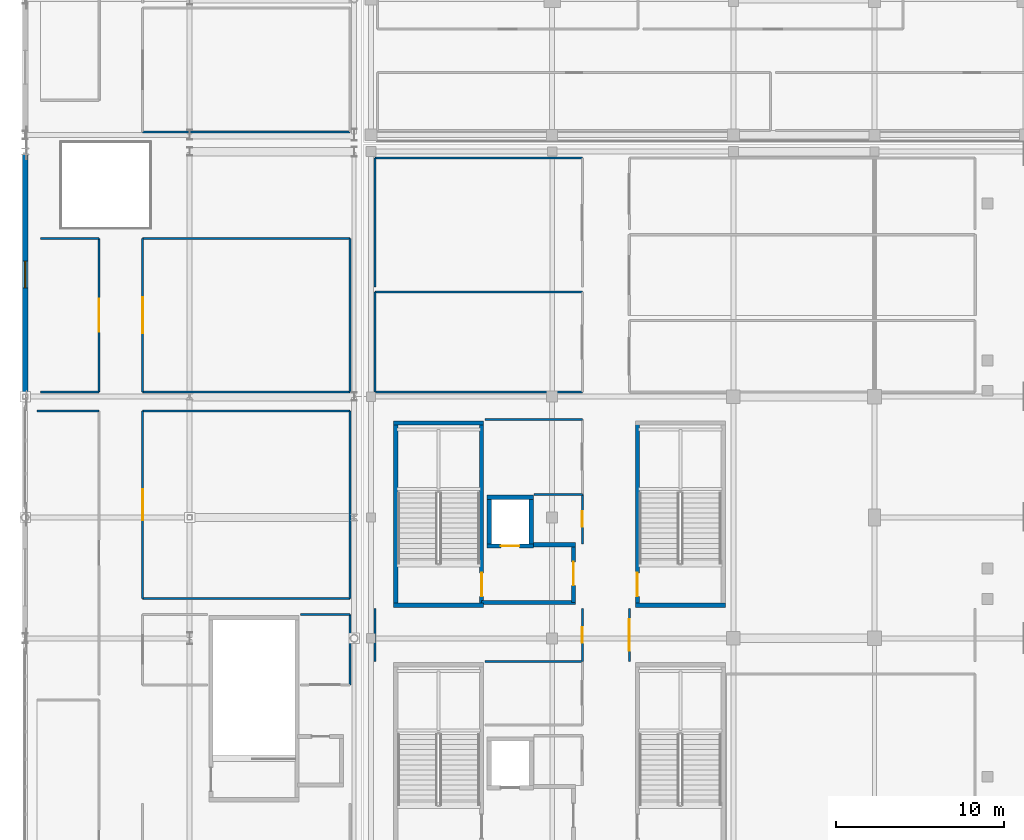
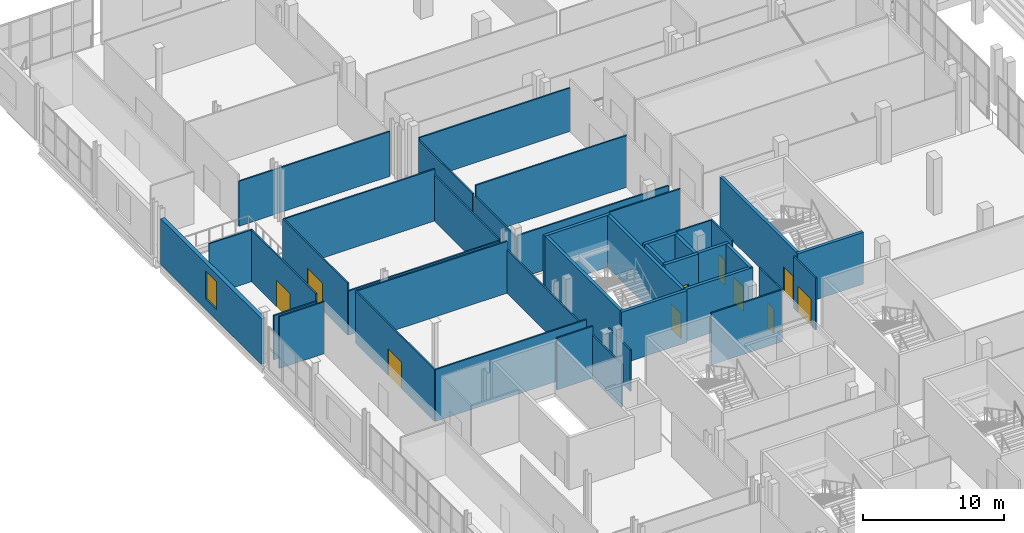
# One storey, part 94 of 142: 41 walls, 10 doors, 1 window, 11 openings.
"""IFC4 building model written with IfcOpenShell, lengths in metres."""

import ifcopenshell
import ifcopenshell.guid

model = None  # the IFC model being written
_history = None  # IfcOwnerHistory: only IFC2X3 demands one
_inside = {}  # id of a spatial element -> (the spatial element, [elements in it])
_under = {}  # id of a project, library or spatial element -> (it, [spatial elements below it])
_declared = {}  # id of a project -> (the project, [libraries it declares])
_typed = {}  # id of a type object -> (the type object, [elements of that type])
_made_of = {}  # id of a material, layer set ... -> (it, [elements and type objects made of it])


def new_model(schema):
    """Start an empty IFC model of exactly this schema.

    Asked for "IFC4X3", IfcOpenShell would pick the latest addendum, in which some entities
    have other attributes; the version numbers below select the first issue.
    IFC2X3 requires an IfcOwnerHistory on every rooted entity: one is made here for all.
    """
    global model, _history
    if schema == "IFC4X3":
        model = ifcopenshell.file(schema_version=(4, 3, 0, 0))
    else:
        model = ifcopenshell.file(schema=schema)
    _inside.clear()
    _under.clear()
    _declared.clear()
    _typed.clear()
    _made_of.clear()
    _history = None
    if model.schema == "IFC2X3":
        org = make("IfcOrganization", Name="unknown")
        user = make(
            "IfcPersonAndOrganization",
            ThePerson=make("IfcPerson", FamilyName="unknown"),
            TheOrganization=org,
        )
        app = make(
            "IfcApplication",
            ApplicationDeveloper=org,
            Version="unknown",
            ApplicationFullName="unknown",
            ApplicationIdentifier="unknown",
        )
        _history = make(
            "IfcOwnerHistory",
            OwningUser=user,
            OwningApplication=app,
            ChangeAction="ADDED",
            CreationDate=0,
        )
    return model


def make(cls, **values):
    """One entity of the class cls with the attributes given. An attribute that is None is left unset."""
    return model.create_entity(
        cls, **{name: value for name, value in values.items() if value is not None}
    )


def rooted(cls, **values):
    """An entity with a GlobalId (a new one), such as an element, a storey or a relation."""
    return make(cls, GlobalId=ifcopenshell.guid.new(), OwnerHistory=_history, **values)


def si_unit(unit_type, name, prefix=None):
    """IfcSIUnit, for example si_unit("LENGTHUNIT", "METRE", prefix="MILLI")."""
    return make("IfcSIUnit", UnitType=unit_type, Prefix=prefix, Name=name)


def assignment(units):
    """IfcUnitAssignment: the units of a project."""
    return None if units is None else make("IfcUnitAssignment", Units=units)


def point(xyz):
    """IfcCartesianPoint."""
    return None if xyz is None else make("IfcCartesianPoint", Coordinates=xyz)


def direction(xyz):
    """IfcDirection."""
    return None if xyz is None else make("IfcDirection", DirectionRatios=xyz)


def frame(location, z_axis=None, x_axis=None):
    """IfcAxis2Placement3D, a coordinate frame: its origin and axes. An axis left out is left unset."""
    return make(
        "IfcAxis2Placement3D",
        Location=point(location),
        Axis=direction(z_axis),
        RefDirection=direction(x_axis),
    )


def frame_2d(location, x_axis=None):
    """IfcAxis2Placement2D, a coordinate frame in the plane: its origin and x axis."""
    return make(
        "IfcAxis2Placement2D", Location=point(location), RefDirection=direction(x_axis)
    )


def origin():
    """The frame at (0, 0, 0) with its axes left unset."""
    return frame((0.0, 0.0, 0.0))


def place(relative_to, where):
    """IfcLocalPlacement: puts the frame where relative to a parent placement (None: the world)."""
    return make(
        "IfcLocalPlacement", PlacementRelTo=relative_to, RelativePlacement=where
    )


def context(
    kind, dimensions, precision=None, world=None, true_north=None, identifier=None
):
    """IfcGeometricRepresentationContext, for example the 3D "Model" context."""
    return make(
        "IfcGeometricRepresentationContext",
        ContextIdentifier=identifier,
        ContextType=kind,
        CoordinateSpaceDimension=dimensions,
        Precision=precision,
        WorldCoordinateSystem=world,
        TrueNorth=true_north,
    )


def subcontext(parent, identifier, kind, view, scale=None):
    """IfcGeometricRepresentationSubContext, for example "Body" below "Model"."""
    return make(
        "IfcGeometricRepresentationSubContext",
        ContextIdentifier=identifier,
        ContextType=kind,
        ParentContext=parent,
        TargetScale=scale,
        TargetView=view,
    )


def project(units=None, contexts=None):
    """IfcProject with its units and contexts."""
    return rooted(
        "IfcProject",
        Name="project",
        RepresentationContexts=contexts,
        UnitsInContext=assignment(units),
    )


def spatial(cls, under=None, at=None, **own):
    """A site, building, storey or space (cls), placed at a placement, below another one or the project."""
    s = rooted(cls, ObjectPlacement=at, **own)
    if under is not None:
        _under.setdefault(under.id(), (under, []))[1].append(s)
    return s


def profile(cls, at=None, kind="AREA", **sizes):
    """A parametric profile (cls). Its sizes go by their IFC names, for example OverallWidth=200.0."""
    return make(cls, ProfileType=kind, Position=at, **sizes)


def rectangle(**sizes):
    """IfcRectangleProfileDef."""
    return profile("IfcRectangleProfileDef", **sizes)


def extrude(swept, where, along, depth):
    """IfcExtrudedAreaSolid: the profile swept, set in the frame where, extruded along a direction by depth."""
    return make(
        "IfcExtrudedAreaSolid",
        SweptArea=swept,
        Position=where,
        ExtrudedDirection=direction(along),
        Depth=depth,
    )


def shape(context_of_items, identifier, shape_type, items):
    """IfcShapeRepresentation: the items that make up one representation, for example the "Body"."""
    return make(
        "IfcShapeRepresentation",
        ContextOfItems=context_of_items,
        RepresentationIdentifier=identifier,
        RepresentationType=shape_type,
        Items=items,
    )


def material(Name=None, Category=None):
    """IfcMaterial."""
    return make("IfcMaterial", Name=Name, Category=Category)


def layer(
    of_material, thickness, ventilated=None, Name=None, Category=None, Priority=None
):
    """IfcMaterialLayer: one layer of a wall or slab, of a material (None: an air gap)."""
    return make(
        "IfcMaterialLayer",
        Material=of_material,
        LayerThickness=thickness,
        IsVentilated=ventilated,
        Name=Name,
        Category=Category,
        Priority=Priority,
    )


def layer_set(layers, Name=None):
    """IfcMaterialLayerSet."""
    return make("IfcMaterialLayerSet", MaterialLayers=layers, LayerSetName=Name)


def made_of(thing, what):
    """Note that an element or type object is made of a material, layer set ...; save() writes the relation."""
    if what is not None:
        _made_of.setdefault(what.id(), (what, []))[1].append(thing)
    return thing


def type_object(cls, material=None, **own):
    """A type object (cls), such as IfcWallType, which elements share."""
    return made_of(rooted(cls, **own), material)


def element(
    cls,
    number,
    at=None,
    inside=None,
    cuts=None,
    type_object=None,
    material=None,
    context=None,
    identifier="Body",
    shape_type=None,
    held_by="IfcProductDefinitionShape",
    body=None,
    shapes=None,
    **own,
):
    """One element of the class cls, such as IfcWall. Its Tag is "e" and its number.

    at: its placement. inside: the storey or other place that contains it. cuts: it is an
    opening in that element (IfcRelVoidsElement). A single representation is given by context,
    identifier, shape_type and body (its items); several are given by shapes. held_by: the class
    of the entity that holds the representations. save() writes the other relations.
    """
    e = rooted(cls, Tag="e%d" % number, ObjectPlacement=at, **own)
    if body is not None:
        shapes = [shape(context, identifier, shape_type, body)]
    if shapes is not None:
        e.Representation = make(held_by, Representations=shapes)
    if inside is not None:
        _inside.setdefault(inside.id(), (inside, []))[1].append(e)
    if cuts is not None:
        rooted(
            "IfcRelVoidsElement", RelatingBuildingElement=cuts, RelatedOpeningElement=e
        )
    if type_object is not None:
        _typed.setdefault(type_object.id(), (type_object, []))[1].append(e)
    return made_of(e, material)


def fill(opening, filler):
    """IfcRelFillsElement: the door or window that sits in an opening."""
    return rooted(
        "IfcRelFillsElement",
        RelatingOpeningElement=opening,
        RelatedBuildingElement=filler,
    )


def aggregate(whole, parts):
    """IfcRelAggregates: a whole, such as a stair, and the parts it consists of."""
    return rooted("IfcRelAggregates", RelatingObject=whole, RelatedObjects=parts)


def save(model, path):
    """Write the relations noted so far, then the file.

    IfcRelAggregates (storeys below a building ...), IfcRelContainedInSpatialStructure (elements
    in a storey), IfcRelDefinesByType, IfcRelAssociatesMaterial and IfcRelDeclares: one each for
    every whole, place, type object, material and project.
    """
    for whole, parts in _under.values():
        aggregate(whole, parts)
    for where, things in _inside.values():
        rooted(
            "IfcRelContainedInSpatialStructure",
            RelatedElements=things,
            RelatingStructure=where,
        )
    for kind, things in _typed.values():
        rooted("IfcRelDefinesByType", RelatedObjects=things, RelatingType=kind)
    for what, things in _made_of.values():
        rooted("IfcRelAssociatesMaterial", RelatedObjects=things, RelatingMaterial=what)
    for by, libraries in _declared.values():
        rooted("IfcRelDeclares", RelatingContext=by, RelatedDefinitions=libraries)
    model.write(path)


model = new_model("IFC4")

# Units and contexts
model_context = context("Model", 3, precision=1e-05, world=origin(), true_north=direction((0.0, 1.0)))
body_context = subcontext(model_context, "Body", "Model", "MODEL_VIEW")
ifc_project = project(units=[si_unit("LENGTHUNIT", "METRE"), si_unit("AREAUNIT", "SQUARE_METRE"), si_unit("VOLUMEUNIT", "CUBIC_METRE"), si_unit("PLANEANGLEUNIT", "RADIAN"), si_unit("MASSUNIT", "GRAM", prefix="KILO")], contexts=[model_context])

# Site, building, storey
site_placement = place(None, origin())
site = spatial("IfcSite", under=ifc_project, at=site_placement, CompositionType="ELEMENT")
building_placement = place(site_placement, origin())
building = spatial("IfcBuilding", under=site, at=building_placement, Name="Koshinbarg Plaza Stadium", CompositionType="ELEMENT")
storey_placement = place(building_placement, frame((0.0, 0.0, 10.199951171875)))
storey = spatial("IfcBuildingStorey", under=building, at=storey_placement, Name="L02", CompositionType="ELEMENT", Elevation=10.199951171875)

# Walls
ifc_material_1 = material(Name="Concrete C40/50", Category="concrete")
ifc_layer_1 = layer(ifc_material_1, 0.25)
ifc_layer_set_1 = layer_set([ifc_layer_1], Name="Concrete C40/50")
wall_type_1 = type_object("IfcWallType", Name="WL-CORE-250", PredefinedType="SHEAR", material=ifc_layer_set_1)
for number, where, z_axis, x_axis, name in (
    (1, (25.949951171875, 99.47509765625, 0.0), (0.0, 0.0, 1.0), (1.0, 0.0, 0.0), "L02 core stair shear wall C06-near IWL-L02-0142"),
    (2, (31.320068359375, 110.324951171875, 0.0), (0.0, 0.0, 1.0), (-1.0, 0.0, 0.0), "L02 core stair shear wall C06-far IWL-L02-0143"),
):
    element("IfcWall", number, at=place(storey_placement, frame(where, z_axis=z_axis, x_axis=x_axis)), inside=storey, type_object=wall_type_1, Name=name, PredefinedType="SHEAR", context=body_context, shape_type="SweptSolid", body=[
        extrude(rectangle(XDim=5.3701171875, YDim=0.25, at=frame_2d((2.68505859375, 0.0))), origin(), (0.0, 0.0, 1.0), 4.47998046875),
    ])
wall_1_placement = place(storey_placement, frame((26.074951171875, 99.47509765625, 0.0), z_axis=(0.0, 0.0, 1.0), x_axis=(0.0, 1.0, 0.0)))
element("IfcWall", 3, at=wall_1_placement, inside=storey, type_object=wall_type_1, Name="L02 core stair shear wall C06-left IWL-L02-0144", PredefinedType="SHEAR", context=body_context, shape_type="SweptSolid", body=[
    extrude(rectangle(XDim=10.849853515625, YDim=0.25, at=frame_2d((5.4248046875, 0.0))), origin(), (0.0, 0.0, 1.0), 4.47998046875),
])

# Wall, opening, door
wall_2_placement = place(storey_placement, frame((31.195068359375, 99.47509765625, 0.0), z_axis=(0.0, 0.0, 1.0), x_axis=(0.0, 1.0, 0.0)))
wall_2 = element("IfcWall", 4, at=wall_2_placement, inside=storey, type_object=wall_type_1, Name="L02 core stair shear wall C06-right IWL-L02-0145", PredefinedType="SHEAR", context=body_context, shape_type="SweptSolid", body=[
    extrude(rectangle(XDim=10.849853515625, YDim=0.25, at=frame_2d((5.4248046875, 0.0))), origin(), (0.0, 0.0, 1.0), 4.47998046875),
])
opening_1_placement = place(wall_2_placement, frame((0.52001953125, 0.0, 0.0)))
opening_1 = element("IfcOpeningElement", 5, at=opening_1_placement, cuts=wall_2, Name="Opening D-0098", PredefinedType="OPENING", context=body_context, shape_type="SweptSolid", body=[
    extrude(rectangle(XDim=1.39990234375, YDim=2.14990234375, at=frame_2d((0.699951171875, 1.074951171875))), frame((0.0, 0.135009765625, 0.0), z_axis=(0.0, -1.0, 0.0), x_axis=(1.0, 0.0, 0.0)), (0.0, 0.0, 1.0), 0.27001953125),
])
ifc_material_2 = material(Name="Painted galvanized steel fire door", Category="steel")
door_type_1 = type_object("IfcDoorType", Name="DR-STAIR-1400", OperationType="NOTDEFINED", PredefinedType="DOOR", material=ifc_material_2)
door_1_placement = place(opening_1_placement, origin())
door_1 = element("IfcDoor", 6, at=door_1_placement, inside=storey, type_object=door_type_1, Name="L02 exit stair door C06", OperationType="SINGLE_SWING_LEFT", OverallHeight=2.14990234375, OverallWidth=1.39990234375, PredefinedType="DOOR", context=body_context, shape_type="SweptSolid", body=[
    extrude(rectangle(XDim=1.39990234375, YDim=2.14990234375, at=frame_2d((0.699951171875, 1.074951171875))), frame((0.0, 0.02490234375, 0.0), z_axis=(0.0, -1.0, 0.0), x_axis=(1.0, 0.0, 0.0)), (0.0, 0.0, 1.0), 0.050048828125),
])
fill(opening_1, door_1)

# Wall
wall_3_placement = place(storey_placement, frame((40.35009765625, 99.47509765625, 0.0), z_axis=(0.0, 0.0, 1.0), x_axis=(1.0, 0.0, 0.0)))
element("IfcWall", 7, at=wall_3_placement, inside=storey, type_object=wall_type_1, Name="L02 vomitory stair shear wall VX06-near IWL-L02-0442", PredefinedType="SHEAR", context=body_context, shape_type="SweptSolid", body=[
    extrude(rectangle(XDim=5.369873046875, YDim=0.25, at=frame_2d((2.68505859375, 0.0))), origin(), (0.0, 0.0, 1.0), 4.47998046875),
])

# Wall, opening, door
wall_4_placement = place(storey_placement, frame((40.47509765625, 99.47509765625, 0.0), z_axis=(0.0, 0.0, 1.0), x_axis=(0.0, 1.0, 0.0)))
wall_4 = element("IfcWall", 8, at=wall_4_placement, inside=storey, type_object=wall_type_1, Name="L02 vomitory stair shear wall VX06-left IWL-L02-0444", PredefinedType="SHEAR", context=body_context, shape_type="SweptSolid", body=[
    extrude(rectangle(XDim=10.849853515625, YDim=0.25, at=frame_2d((5.4248046875, 0.0))), origin(), (0.0, 0.0, 1.0), 4.47998046875),
])
opening_2_placement = place(wall_4_placement, frame((0.52001953125, 0.0, 0.0)))
opening_2 = element("IfcOpeningElement", 9, at=opening_2_placement, cuts=wall_4, Name="Opening D-0173", PredefinedType="OPENING", context=body_context, shape_type="SweptSolid", body=[
    extrude(rectangle(XDim=1.39990234375, YDim=2.14990234375, at=frame_2d((0.699951171875, 1.074951171875))), frame((0.0, 0.135009765625, 0.0), z_axis=(0.0, -1.0, 0.0), x_axis=(1.0, 0.0, 0.0)), (0.0, 0.0, 1.0), 0.27001953125),
])
door_2_placement = place(opening_2_placement, frame((1.39990234375, 0.0, 0.0), z_axis=(0.0, 0.0, 1.0), x_axis=(-1.0, 0.0, 0.0)))
door_2 = element("IfcDoor", 10, at=door_2_placement, inside=storey, type_object=door_type_1, Name="L02 vomitory exit stair door VX06", OperationType="SINGLE_SWING_LEFT", OverallHeight=2.14990234375, OverallWidth=1.39990234375, PredefinedType="DOOR", context=body_context, shape_type="SweptSolid", body=[
    extrude(rectangle(XDim=1.39990234375, YDim=2.14990234375, at=frame_2d((0.699951171875, 1.074951171875))), frame((0.0, 0.02490234375, 0.0), z_axis=(0.0, -1.0, 0.0), x_axis=(1.0, 0.0, 0.0)), (0.0, 0.0, 1.0), 0.050048828125),
])
fill(opening_2, door_2)

wall_5_placement = place(storey_placement, frame((31.52490234375, 103.0, 0.0), z_axis=(0.0, 0.0, 1.0), x_axis=(1.0, 0.0, 0.0)))
wall_5 = element("IfcWall", 11, at=wall_5_placement, inside=storey, type_object=wall_type_1, Name="L02 lift shaft shear wall FL04-S IWL-L02-0827", PredefinedType="SHEAR", context=body_context, shape_type="SweptSolid", body=[
    extrude(rectangle(XDim=2.75, YDim=0.25, at=frame_2d((1.375, 0.0))), origin(), (0.0, 0.0, 1.0), 4.47998046875),
])
opening_3_placement = place(wall_5_placement, frame((0.824951171875, 0.0, 0.0)))
opening_3 = element("IfcOpeningElement", 12, at=opening_3_placement, cuts=wall_5, Name="Opening D-0275", PredefinedType="OPENING", context=body_context, shape_type="SweptSolid", body=[
    extrude(rectangle(XDim=1.10009765625, YDim=2.14990234375, at=frame_2d((0.550048828125, 1.074951171875))), frame((0.0, 0.135009765625, 0.0), z_axis=(0.0, -1.0, 0.0), x_axis=(1.0, 0.0, 0.0)), (0.0, 0.0, 1.0), 0.27001953125),
])
ifc_material_3 = material(Name="Brushed stainless steel sliding lift landing door", Category="steel")
door_type_2 = type_object("IfcDoorType", Name="DR-LIFT-1100", OperationType="NOTDEFINED", PredefinedType="DOOR", material=ifc_material_3)
door_3_placement = place(opening_3_placement, origin())
door_3 = element("IfcDoor", 13, at=door_3_placement, inside=storey, type_object=door_type_2, Name="L02 lift landing door FL04", OperationType="SLIDING_TO_LEFT", OverallHeight=2.14990234375, OverallWidth=1.10009765625, PredefinedType="DOOR", context=body_context, shape_type="SweptSolid", body=[
    extrude(rectangle(XDim=1.10009765625, YDim=2.14990234375, at=frame_2d((0.550048828125, 1.074951171875))), frame((0.0, 0.02490234375, 0.0), z_axis=(0.0, -1.0, 0.0), x_axis=(1.0, 0.0, 0.0)), (0.0, 0.0, 1.0), 0.050048828125),
])
fill(opening_3, door_3)

# Walls
wall_6_placement = place(storey_placement, frame((34.27490234375, 105.89990234375, 0.0), z_axis=(0.0, 0.0, 1.0), x_axis=(-1.0, 0.0, 0.0)))
element("IfcWall", 14, at=wall_6_placement, inside=storey, type_object=wall_type_1, Name="L02 lift shaft shear wall FL04-N IWL-L02-0828", PredefinedType="SHEAR", context=body_context, shape_type="SweptSolid", body=[
    extrude(rectangle(XDim=2.75, YDim=0.25, at=frame_2d((1.375, 0.0))), origin(), (0.0, 0.0, 1.0), 4.47998046875),
])
for number, where, z_axis, x_axis, name in (
    (15, (31.64990234375, 105.89990234375, 0.0), (0.0, 0.0, 1.0), (0.0, -1.0, 0.0), "L02 lift shaft shear wall FL04-W IWL-L02-0829"),
    (16, (34.14990234375, 103.0, 0.0), (0.0, 0.0, 1.0), (0.0, 1.0, 0.0), "L02 lift shaft shear wall FL04-E IWL-L02-0830"),
):
    element("IfcWall", number, at=place(storey_placement, frame(where, z_axis=z_axis, x_axis=x_axis)), inside=storey, type_object=wall_type_1, Name=name, PredefinedType="SHEAR", context=body_context, shape_type="SweptSolid", body=[
        extrude(rectangle(XDim=2.89990234375, YDim=0.25, at=frame_2d((1.449951171875, 0.0))), origin(), (0.0, 0.0, 1.0), 4.47998046875),
    ])

# Wall, opening, door
wall_7_placement = place(storey_placement, frame((36.675048828125, 99.625, 0.0), z_axis=(0.0, 0.0, 1.0), x_axis=(0.0, 1.0, 0.0)))
wall_7 = element("IfcWall", 17, at=wall_7_placement, inside=storey, type_object=wall_type_1, Name="L02 firefighting lobby wall C06-E IWL-L02-0831", PredefinedType="SHEAR", context=body_context, shape_type="SweptSolid", body=[
    extrude(rectangle(XDim=3.449951171875, YDim=0.25, at=frame_2d((1.72509765625, 0.0))), origin(), (0.0, 0.0, 1.0), 4.47998046875),
])
opening_4_placement = place(wall_7_placement, frame((1.02490234375, 0.0, 0.0)))
opening_4 = element("IfcOpeningElement", 18, at=opening_4_placement, cuts=wall_7, Name="Opening D-0276", PredefinedType="OPENING", context=body_context, shape_type="SweptSolid", body=[
    extrude(rectangle(XDim=1.39990234375, YDim=2.14990234375, at=frame_2d((0.699951171875, 1.074951171875))), frame((0.0, 0.135009765625, 0.0), z_axis=(0.0, -1.0, 0.0), x_axis=(1.0, 0.0, 0.0)), (0.0, 0.0, 1.0), 0.27001953125),
])
ifc_material_4 = material(Name="Smoke-sealed steel firefighting lobby door", Category="steel")
door_type_3 = type_object("IfcDoorType", Name="DR-FFLOB-1400", OperationType="NOTDEFINED", PredefinedType="DOOR", material=ifc_material_4)
door_4_placement = place(opening_4_placement, origin())
door_4 = element("IfcDoor", 19, at=door_4_placement, inside=storey, type_object=door_type_3, Name="L02 firefighting lobby fire door C06", OperationType="DOUBLE_DOOR_SINGLE_SWING", OverallHeight=2.14990234375, OverallWidth=1.39990234375, PredefinedType="DOOR", context=body_context, shape_type="SweptSolid", body=[
    extrude(rectangle(XDim=1.39990234375, YDim=2.14990234375, at=frame_2d((0.699951171875, 1.074951171875))), frame((0.0, 0.02490234375, 0.0), z_axis=(0.0, -1.0, 0.0), x_axis=(1.0, 0.0, 0.0)), (0.0, 0.0, 1.0), 0.050048828125),
])
fill(opening_4, door_4)

# Walls
wall_8_placement = place(storey_placement, frame((34.27490234375, 103.074951171875, 0.0), z_axis=(0.0, 0.0, 1.0), x_axis=(1.0, 0.0, 0.0)))
element("IfcWall", 20, at=wall_8_placement, inside=storey, type_object=wall_type_1, Name="L02 firefighting lobby wall C06-NE IWL-L02-0832", PredefinedType="SHEAR", context=body_context, shape_type="SweptSolid", body=[
    extrude(rectangle(XDim=2.525146484375, YDim=0.25, at=frame_2d((1.2626953125, 0.0))), origin(), (0.0, 0.0, 1.0), 4.47998046875),
])
wall_9_placement = place(storey_placement, frame((31.199951171875, 99.625, 0.0), z_axis=(0.0, 0.0, 1.0), x_axis=(1.0, 0.0, 0.0)))
element("IfcWall", 21, at=wall_9_placement, inside=storey, type_object=wall_type_1, Name="L02 firefighting lobby wall C06-S IWL-L02-0833", PredefinedType="SHEAR", context=body_context, shape_type="SweptSolid", body=[
    extrude(rectangle(XDim=5.60009765625, YDim=0.25, at=frame_2d((2.800048828125, 0.0))), origin(), (0.0, 0.0, 1.0), 4.47998046875),
])

# Wall, opening, window
ifc_material_5 = material(Name="Ultramarine-blue pigmented mineral plaster facade wall", Category="masonry")
ifc_layer_2 = layer(ifc_material_5, 0.320068359375)
ifc_layer_set_2 = layer_set([ifc_layer_2], Name="Ultramarine-blue pigmented mineral plaster facade wall")
wall_type_2 = type_object("IfcWallType", Name="WL-EXT-320", PredefinedType="SOLIDWALL", material=ifc_layer_set_2)
wall_10_placement = place(storey_placement, frame((4.0, 112.044921875, 0.0), z_axis=(0.0, 0.0, 1.0), x_axis=(0.0, 1.0, 0.0)))
wall_10 = element("IfcWall", 22, at=wall_10_placement, inside=storey, type_object=wall_type_2, Name="L02 exterior envelope wall EWL-L02-0114", PredefinedType="SOLIDWALL", context=body_context, shape_type="SweptSolid", body=[
    extrude(rectangle(XDim=14.27001953125, YDim=0.320068359375, at=frame_2d((7.135009765625, 0.0))), origin(), (0.0, 0.0, 1.0), 3.969970703125),
])
opening_5_placement = place(wall_10_placement, frame((6.3349609375, 0.0, 0.89990234375)))
opening_5 = element("IfcOpeningElement", 23, at=opening_5_placement, cuts=wall_10, Name="Opening WN19", PredefinedType="OPENING", context=body_context, shape_type="SweptSolid", body=[
    extrude(rectangle(XDim=1.60009765625, YDim=2.39990234375, at=frame_2d((0.800048828125, 1.199951171875))), frame((0.0, 0.169921875, 0.0), z_axis=(0.0, -1.0, 0.0), x_axis=(1.0, 0.0, 0.0)), (0.0, 0.0, 1.0), 0.340087890625),
])
ifc_material_6 = material(Name="Solar-control double glazing in thermally broken aluminium frame", Category="aluminium")
window_type = type_object("IfcWindowType", Name="WN-FAC-19", PartitioningType="DOUBLE_PANEL_VERTICAL", PredefinedType="WINDOW", material=ifc_material_6)
window_placement = place(opening_5_placement, origin())
window = element("IfcWindow", 24, at=window_placement, inside=storey, type_object=window_type, Name="L02 facade window 0052", OverallHeight=2.39990234375, OverallWidth=1.60009765625, PartitioningType="SINGLE_PANEL", PredefinedType="WINDOW", context=body_context, shape_type="SweptSolid", body=[
    extrude(rectangle(XDim=1.60009765625, YDim=2.39990234375, at=frame_2d((0.800048828125, 1.199951171875))), frame((0.0, 0.030029296875, 0.0), z_axis=(0.0, -1.0, 0.0), x_axis=(1.0, 0.0, 0.0)), (0.0, 0.0, 1.0), 0.06005859375),
])
fill(opening_5, window)

# Wall, opening, door
ifc_material_7 = material(Name="Gypsum board metal-stud acoustic partition")
ifc_layer_3 = layer(ifc_material_7, 0.1201171875)
ifc_layer_set_3 = layer_set([ifc_layer_3], Name="Gypsum board metal-stud acoustic partition")
wall_type_3 = type_object("IfcWallType", Name="WL-PART-120", PredefinedType="PARTITIONING", material=ifc_layer_set_3)
wall_11_placement = place(storey_placement, frame((37.199951171875, 96.1298828125, 0.0), z_axis=(0.0, 0.0, 1.0), x_axis=(0.0, 1.0, 0.0)))
wall_11 = element("IfcWall", 25, at=wall_11_placement, inside=storey, type_object=wall_type_3, Name="L02 interior partition L02-74-east IWL-L02-1662", PredefinedType="PARTITIONING", context=body_context, shape_type="SweptSolid", body=[
    extrude(rectangle(XDim=3.14013671875, YDim=0.1201171875, at=frame_2d((1.570068359375, 0.0))), origin(), (0.0, 0.0, 1.0), 4.47998046875),
])
opening_6_placement = place(wall_11_placement, frame((1.110107421875, 0.0, 0.0)))
opening_6 = element("IfcOpeningElement", 26, at=opening_6_placement, cuts=wall_11, Name="Opening D-0561", PredefinedType="OPENING", context=body_context, shape_type="SweptSolid", body=[
    extrude(rectangle(XDim=0.919921875, YDim=2.10009765625, at=frame_2d((0.4599609375, 1.050048828125))), frame((0.0, 0.070068359375, 0.0), z_axis=(0.0, -1.0, 0.0), x_axis=(1.0, 0.0, 0.0)), (0.0, 0.0, 1.0), 0.14013671875),
])
ifc_material_8 = material(Name="Solid-core oak veneer acoustic door")
door_type_4 = type_object("IfcDoorType", Name="DR-INT-0920x2100", OperationType="NOTDEFINED", PredefinedType="DOOR", material=ifc_material_8)
door_5_placement = place(opening_6_placement, origin())
door_5 = element("IfcDoor", 27, at=door_5_placement, inside=storey, type_object=door_type_4, Name="L02 Presidential Club Lounge door D-0561", OperationType="SINGLE_SWING_LEFT", OverallHeight=2.10009765625, OverallWidth=0.919921875, PredefinedType="DOOR", context=body_context, shape_type="SweptSolid", body=[
    extrude(rectangle(XDim=0.919921875, YDim=2.10009765625, at=frame_2d((0.4599609375, 1.050048828125))), frame((0.0, 0.02490234375, 0.0), z_axis=(0.0, -1.0, 0.0), x_axis=(1.0, 0.0, 0.0)), (0.0, 0.0, 1.0), 0.050048828125),
])
fill(opening_6, door_5)

# Walls
wall_12_placement = place(storey_placement, frame((24.844970703125, 99.27001953125, 0.0), z_axis=(0.0, 0.0, 1.0), x_axis=(0.0, -1.0, 0.0)))
element("IfcWall", 28, at=wall_12_placement, inside=storey, type_object=wall_type_3, Name="L02 interior partition L02-74-west IWL-L02-1663", PredefinedType="PARTITIONING", context=body_context, shape_type="SweptSolid", body=[
    extrude(rectangle(XDim=3.14013671875, YDim=0.1201171875, at=frame_2d((1.570068359375, 0.0))), origin(), (0.0, 0.0, 1.0), 3.56005859375),
])
for number, where, z_axis, x_axis, name in (
    (29, (37.199951171875, 96.1298828125, 0.0), (0.0, 0.0, 1.0), (-1.0, 0.0, 0.0), "L02 interior partition L02-75-north IWL-L02-1666"),
    (30, (37.199951171875, 110.530029296875, 0.0), (0.0, 0.0, 1.0), (-1.0, 0.0, 0.0), "L02 interior partition L02-76-north IWL-L02-1668"),
):
    element("IfcWall", number, at=place(storey_placement, frame(where, z_axis=z_axis, x_axis=x_axis)), inside=storey, type_object=wall_type_3, Name=name, PredefinedType="PARTITIONING", context=body_context, shape_type="SweptSolid", body=[
        extrude(rectangle(XDim=5.800048828125, YDim=0.1201171875, at=frame_2d((2.89990234375, 0.0))), origin(), (0.0, 0.0, 1.0), 4.47998046875),
    ])

# Wall, opening, door
wall_13_placement = place(storey_placement, frame((37.199951171875, 103.1298828125, 0.0), z_axis=(0.0, 0.0, 1.0), x_axis=(0.0, 1.0, 0.0)))
wall_13 = element("IfcWall", 31, at=wall_13_placement, inside=storey, type_object=wall_type_3, Name="L02 interior partition L02-77-east IWL-L02-1669", PredefinedType="PARTITIONING", context=body_context, shape_type="SweptSolid", body=[
    extrude(rectangle(XDim=2.9501953125, YDim=0.1201171875, at=frame_2d((1.47509765625, 0.0))), origin(), (0.0, 0.0, 1.0), 4.47998046875),
])
opening_7_placement = place(wall_13_placement, frame((1.014892578125, 0.0, 0.0)))
opening_7 = element("IfcOpeningElement", 32, at=opening_7_placement, cuts=wall_13, Name="Opening D-0564", PredefinedType="OPENING", context=body_context, shape_type="SweptSolid", body=[
    extrude(rectangle(XDim=0.919921875, YDim=2.10009765625, at=frame_2d((0.4599609375, 1.050048828125))), frame((0.0, 0.070068359375, 0.0), z_axis=(0.0, -1.0, 0.0), x_axis=(1.0, 0.0, 0.0)), (0.0, 0.0, 1.0), 0.14013671875),
])
door_6_placement = place(opening_7_placement, origin())
door_6 = element("IfcDoor", 33, at=door_6_placement, inside=storey, type_object=door_type_4, Name="L02 Hospitality Catering Kitchen door D-0564", OperationType="SINGLE_SWING_RIGHT", OverallHeight=2.10009765625, OverallWidth=0.919921875, PredefinedType="DOOR", context=body_context, shape_type="SweptSolid", body=[
    extrude(rectangle(XDim=0.919921875, YDim=2.10009765625, at=frame_2d((0.4599609375, 1.050048828125))), frame((0.0, 0.02490234375, 0.0), z_axis=(0.0, -1.0, 0.0), x_axis=(1.0, 0.0, 0.0)), (0.0, 0.0, 1.0), 0.050048828125),
])
fill(opening_7, door_6)

# Wall
wall_14_placement = place(storey_placement, frame((37.199951171875, 106.080078125, 0.0), z_axis=(0.0, 0.0, 1.0), x_axis=(-1.0, 0.0, 0.0)))
element("IfcWall", 34, at=wall_14_placement, inside=storey, type_object=wall_type_3, Name="L02 interior partition L02-77-north IWL-L02-1670", PredefinedType="PARTITIONING", context=body_context, shape_type="SweptSolid", body=[
    extrude(rectangle(XDim=2.869873046875, YDim=0.1201171875, at=frame_2d((1.43505859375, 0.0))), origin(), (0.0, 0.0, 1.0), 4.47998046875),
])

# Wall, opening, door
wall_15_placement = place(storey_placement, frame((40.0, 99.27001953125, 0.0), z_axis=(0.0, 0.0, 1.0), x_axis=(0.0, -1.0, 0.0)))
wall_15 = element("IfcWall", 35, at=wall_15_placement, inside=storey, type_object=wall_type_3, Name="L02 interior partition L02-79-west IWL-L02-1675", PredefinedType="PARTITIONING", context=body_context, shape_type="SweptSolid", body=[
    extrude(rectangle(XDim=3.14013671875, YDim=0.1201171875, at=frame_2d((1.570068359375, 0.0))), origin(), (0.0, 0.0, 1.0), 4.47998046875),
])
opening_8_placement = place(wall_15_placement, frame((0.639892578125, 0.0, 0.0)))
opening_8 = element("IfcOpeningElement", 36, at=opening_8_placement, cuts=wall_15, Name="Opening D-0566", PredefinedType="OPENING", context=body_context, shape_type="SweptSolid", body=[
    extrude(rectangle(XDim=1.860107421875, YDim=2.300048828125, at=frame_2d((0.93017578125, 1.14990234375))), frame((0.0, 0.070068359375, 0.0), z_axis=(0.0, -1.0, 0.0), x_axis=(1.0, 0.0, 0.0)), (0.0, 0.0, 1.0), 0.14013671875),
])
ifc_material_9 = material(Name="Acoustic solid-core walnut veneer fire door")
door_type_5 = type_object("IfcDoorType", Name="DR-INT-1860x2300", OperationType="NOTDEFINED", PredefinedType="DOOR", material=ifc_material_9)
door_7_placement = place(opening_8_placement, origin())
door_7 = element("IfcDoor", 37, at=door_7_placement, inside=storey, type_object=door_type_5, Name="L02 West Club Concourse door D-0566", OperationType="DOUBLE_DOOR_SINGLE_SWING", OverallHeight=2.300048828125, OverallWidth=1.860107421875, PredefinedType="DOOR", context=body_context, shape_type="SweptSolid", body=[
    extrude(rectangle(XDim=1.860107421875, YDim=2.300048828125, at=frame_2d((0.93017578125, 1.14990234375))), frame((0.0, 0.02490234375, 0.0), z_axis=(0.0, -1.0, 0.0), x_axis=(1.0, 0.0, 0.0)), (0.0, 0.0, 1.0), 0.050048828125),
])
fill(opening_8, door_7)

# Walls
wall_16_placement = place(storey_placement, frame((24.844970703125, 112.169921875, 0.0), z_axis=(0.0, 0.0, 1.0), x_axis=(1.0, 0.0, 0.0)))
element("IfcWall", 38, at=wall_16_placement, inside=storey, type_object=wall_type_3, Name="L02 interior partition L02-80-south IWL-L02-1676", PredefinedType="PARTITIONING", context=body_context, shape_type="SweptSolid", body=[
    extrude(rectangle(XDim=12.35498046875, YDim=0.1201171875, at=frame_2d((6.177490234375, 0.0))), origin(), (0.0, 0.0, 1.0), 3.760009765625),
])
wall_17_placement = place(storey_placement, frame((37.199951171875, 118.13330078125, 0.0), z_axis=(0.0, 0.0, 1.0), x_axis=(-1.0, 0.0, 0.0)))
element("IfcWall", 39, at=wall_17_placement, inside=storey, type_object=wall_type_3, Name="L02 interior partition L02-80-north IWL-L02-1678", PredefinedType="PARTITIONING", context=body_context, shape_type="SweptSolid", body=[
    extrude(rectangle(XDim=12.35498046875, YDim=0.1201171875, at=frame_2d((6.177490234375, 0.0))), origin(), (0.0, 0.0, 1.0), 4.47998046875),
])
wall_18_placement = place(storey_placement, frame((24.844970703125, 118.13330078125, 0.0), z_axis=(0.0, 0.0, 1.0), x_axis=(0.0, -1.0, 0.0)))
element("IfcWall", 40, at=wall_18_placement, inside=storey, type_object=wall_type_3, Name="L02 interior partition L02-80-west IWL-L02-1679", PredefinedType="PARTITIONING", context=body_context, shape_type="SweptSolid", body=[
    extrude(rectangle(XDim=5.96337890625, YDim=0.1201171875, at=frame_2d((2.981689453125, 0.0))), origin(), (0.0, 0.0, 1.0), 3.56005859375),
])
wall_19_placement = place(storey_placement, frame((37.199951171875, 126.10498046875, 0.0), z_axis=(0.0, 0.0, 1.0), x_axis=(-1.0, 0.0, 0.0)))
element("IfcWall", 41, at=wall_19_placement, inside=storey, type_object=wall_type_3, Name="L02 interior partition L02-81-north IWL-L02-1681", PredefinedType="PARTITIONING", context=body_context, shape_type="SweptSolid", body=[
    extrude(rectangle(XDim=12.35498046875, YDim=0.1201171875, at=frame_2d((6.177490234375, 0.0))), origin(), (0.0, 0.0, 1.0), 3.760009765625),
])
wall_20_placement = place(storey_placement, frame((24.844970703125, 126.10498046875, 0.0), z_axis=(0.0, 0.0, 1.0), x_axis=(0.0, -1.0, 0.0)))
element("IfcWall", 42, at=wall_20_placement, inside=storey, type_object=wall_type_3, Name="L02 interior partition L02-81-west IWL-L02-1682", PredefinedType="PARTITIONING", context=body_context, shape_type="SweptSolid", body=[
    extrude(rectangle(XDim=7.671630859375, YDim=0.1201171875, at=frame_2d((3.8359375, 0.0))), origin(), (0.0, 0.0, 1.0), 3.56005859375),
])
wall_21_placement = place(storey_placement, frame((8.39990234375, 111.050048828125, 0.0), z_axis=(0.0, 0.0, 1.0), x_axis=(-1.0, 0.0, 0.0)))
element("IfcWall", 43, at=wall_21_placement, inside=storey, type_object=wall_type_3, Name="L02 interior partition L02-143-north IWL-L02-1853", PredefinedType="PARTITIONING", context=body_context, shape_type="SweptSolid", body=[
    extrude(rectangle(XDim=3.699951171875, YDim=0.1201171875, at=frame_2d((1.85009765625, 0.0))), origin(), (0.0, 0.0, 1.0), 4.47998046875),
])
wall_22_placement = place(storey_placement, frame((23.35498046875, 94.72998046875, 0.0), z_axis=(0.0, 0.0, 1.0), x_axis=(0.0, 1.0, 0.0)))
element("IfcWall", 44, at=wall_22_placement, inside=storey, type_object=wall_type_3, Name="L02 interior partition L02-146-east IWL-L02-1861", PredefinedType="PARTITIONING", context=body_context, shape_type="SweptSolid", body=[
    extrude(rectangle(XDim=4.199951171875, YDim=0.1201171875, at=frame_2d((2.10009765625, 0.0))), origin(), (0.0, 0.0, 1.0), 3.719970703125),
])
wall_23_placement = place(storey_placement, frame((23.35498046875, 98.929931640625, 0.0), z_axis=(0.0, 0.0, 1.0), x_axis=(-1.0, 0.0, 0.0)))
element("IfcWall", 45, at=wall_23_placement, inside=storey, type_object=wall_type_3, Name="L02 interior partition L02-146-north IWL-L02-1862", PredefinedType="PARTITIONING", context=body_context, shape_type="SweptSolid", body=[
    extrude(rectangle(XDim=2.955078125, YDim=0.1201171875, at=frame_2d((1.4775390625, 0.0))), origin(), (0.0, 0.0, 1.0), 4.47998046875),
])
wall_24_placement = place(storey_placement, frame((11.0, 99.864990234375, 0.0), z_axis=(0.0, 0.0, 1.0), x_axis=(1.0, 0.0, 0.0)))
element("IfcWall", 46, at=wall_24_placement, inside=storey, type_object=wall_type_3, Name="L02 interior partition L02-147-south IWL-L02-1863", PredefinedType="PARTITIONING", context=body_context, shape_type="SweptSolid", body=[
    extrude(rectangle(XDim=12.35498046875, YDim=0.1201171875, at=frame_2d((6.177490234375, 0.0))), origin(), (0.0, 0.0, 1.0), 4.47998046875),
])
wall_25_placement = place(storey_placement, frame((23.35498046875, 99.864990234375, 0.0), z_axis=(0.0, 0.0, 1.0), x_axis=(0.0, 1.0, 0.0)))
element("IfcWall", 47, at=wall_25_placement, inside=storey, type_object=wall_type_3, Name="L02 interior partition L02-147-east IWL-L02-1864", PredefinedType="PARTITIONING", context=body_context, shape_type="SweptSolid", body=[
    extrude(rectangle(XDim=11.18505859375, YDim=0.1201171875, at=frame_2d((5.592529296875, 0.0))), origin(), (0.0, 0.0, 1.0), 3.719970703125),
])
wall_26_placement = place(storey_placement, frame((23.35498046875, 111.050048828125, 0.0), z_axis=(0.0, 0.0, 1.0), x_axis=(-1.0, 0.0, 0.0)))
element("IfcWall", 48, at=wall_26_placement, inside=storey, type_object=wall_type_3, Name="L02 interior partition L02-147-north IWL-L02-1865", PredefinedType="PARTITIONING", context=body_context, shape_type="SweptSolid", body=[
    extrude(rectangle(XDim=12.35498046875, YDim=0.1201171875, at=frame_2d((6.177490234375, 0.0))), origin(), (0.0, 0.0, 1.0), 4.47998046875),
])

# Wall, opening, door
wall_27_placement = place(storey_placement, frame((11.0, 111.050048828125, 0.0), z_axis=(0.0, 0.0, 1.0), x_axis=(0.0, -1.0, 0.0)))
wall_27 = element("IfcWall", 49, at=wall_27_placement, inside=storey, type_object=wall_type_3, Name="L02 interior partition L02-147-west IWL-L02-1866", PredefinedType="PARTITIONING", context=body_context, shape_type="SweptSolid", body=[
    extrude(rectangle(XDim=11.18505859375, YDim=0.1201171875, at=frame_2d((5.592529296875, 0.0))), origin(), (0.0, 0.0, 1.0), 4.47998046875),
])
opening_9_placement = place(wall_27_placement, frame((4.66259765625, 0.0, 0.0)))
opening_9 = element("IfcOpeningElement", 50, at=opening_9_placement, cuts=wall_27, Name="Opening D-0634", PredefinedType="OPENING", context=body_context, shape_type="SweptSolid", body=[
    extrude(rectangle(XDim=1.860107421875, YDim=2.300048828125, at=frame_2d((0.93017578125, 1.14990234375))), frame((0.0, 0.070068359375, 0.0), z_axis=(0.0, -1.0, 0.0), x_axis=(1.0, 0.0, 0.0)), (0.0, 0.0, 1.0), 0.14013671875),
])
door_8_placement = place(opening_9_placement, origin())
door_8 = element("IfcDoor", 51, at=door_8_placement, inside=storey, type_object=door_type_5, Name="L02 Northwest Terrace Lounge door D-0634", OperationType="DOUBLE_DOOR_SINGLE_SWING", OverallHeight=2.300048828125, OverallWidth=1.860107421875, PredefinedType="DOOR", context=body_context, shape_type="SweptSolid", body=[
    extrude(rectangle(XDim=1.860107421875, YDim=2.300048828125, at=frame_2d((0.93017578125, 1.14990234375))), frame((0.0, 0.02490234375, 0.0), z_axis=(0.0, -1.0, 0.0), x_axis=(1.0, 0.0, 0.0)), (0.0, 0.0, 1.0), 0.050048828125),
])
fill(opening_9, door_8)

# Wall
wall_28_placement = place(storey_placement, frame((4.89990234375, 112.169921875, 0.0), z_axis=(0.0, 0.0, 1.0), x_axis=(1.0, 0.0, 0.0)))
element("IfcWall", 52, at=wall_28_placement, inside=storey, type_object=wall_type_3, Name="L02 interior partition L02-148-south IWL-L02-1867", PredefinedType="PARTITIONING", context=body_context, shape_type="SweptSolid", body=[
    extrude(rectangle(XDim=3.5, YDim=0.1201171875, at=frame_2d((1.75, 0.0))), origin(), (0.0, 0.0, 1.0), 3.820068359375),
])

# Wall, opening, door
wall_29_placement = place(storey_placement, frame((8.39990234375, 112.169921875, 0.0), z_axis=(0.0, 0.0, 1.0), x_axis=(0.0, 1.0, 0.0)))
wall_29 = element("IfcWall", 53, at=wall_29_placement, inside=storey, type_object=wall_type_3, Name="L02 interior partition L02-148-east IWL-L02-1868", PredefinedType="PARTITIONING", context=body_context, shape_type="SweptSolid", body=[
    extrude(rectangle(XDim=9.150146484375, YDim=0.1201171875, at=frame_2d((4.5751953125, 0.0))), origin(), (0.0, 0.0, 1.0), 4.47998046875),
])
opening_10_placement = place(wall_29_placement, frame((3.594970703125, 0.0, 0.0)))
opening_10 = element("IfcOpeningElement", 54, at=opening_10_placement, cuts=wall_29, Name="Opening D-0635", PredefinedType="OPENING", context=body_context, shape_type="SweptSolid", body=[
    extrude(rectangle(XDim=1.9599609375, YDim=2.300048828125, at=frame_2d((0.97998046875, 1.14990234375))), frame((0.0, 0.070068359375, 0.0), z_axis=(0.0, -1.0, 0.0), x_axis=(1.0, 0.0, 0.0)), (0.0, 0.0, 1.0), 0.14013671875),
])
ifc_material_10 = material(Name="Bronze-anodised aluminium glazed double door", Category="aluminium")
door_type_6 = type_object("IfcDoorType", Name="DR-INT-1960x2300", OperationType="NOTDEFINED", PredefinedType="DOOR", material=ifc_material_10)
door_9_placement = place(opening_10_placement, origin())
door_9 = element("IfcDoor", 55, at=door_9_placement, inside=storey, type_object=door_type_6, Name="L02 Community Club Salon door D-0635", OperationType="DOUBLE_DOOR_SINGLE_SWING", OverallHeight=2.300048828125, OverallWidth=1.9599609375, PredefinedType="DOOR", context=body_context, shape_type="SweptSolid", body=[
    extrude(rectangle(XDim=1.9599609375, YDim=2.300048828125, at=frame_2d((0.97998046875, 1.14990234375))), frame((0.0, 0.02490234375, 0.0), z_axis=(0.0, -1.0, 0.0), x_axis=(1.0, 0.0, 0.0)), (0.0, 0.0, 1.0), 0.050048828125),
])
fill(opening_10, door_9)

# Walls
wall_30_placement = place(storey_placement, frame((8.39990234375, 121.320068359375, 0.0), z_axis=(0.0, 0.0, 1.0), x_axis=(-1.0, 0.0, 0.0)))
element("IfcWall", 56, at=wall_30_placement, inside=storey, type_object=wall_type_3, Name="L02 interior partition L02-148-north IWL-L02-1869", PredefinedType="PARTITIONING", context=body_context, shape_type="SweptSolid", body=[
    extrude(rectangle(XDim=3.5, YDim=0.1201171875, at=frame_2d((1.75, 0.0))), origin(), (0.0, 0.0, 1.0), 4.47998046875),
])
wall_31_placement = place(storey_placement, frame((11.0, 112.169921875, 0.0), z_axis=(0.0, 0.0, 1.0), x_axis=(1.0, 0.0, 0.0)))
element("IfcWall", 57, at=wall_31_placement, inside=storey, type_object=wall_type_3, Name="L02 interior partition L02-150-south IWL-L02-1873", PredefinedType="PARTITIONING", context=body_context, shape_type="SweptSolid", body=[
    extrude(rectangle(XDim=12.35498046875, YDim=0.1201171875, at=frame_2d((6.177490234375, 0.0))), origin(), (0.0, 0.0, 1.0), 3.820068359375),
])
wall_32_placement = place(storey_placement, frame((23.35498046875, 112.169921875, 0.0), z_axis=(0.0, 0.0, 1.0), x_axis=(0.0, 1.0, 0.0)))
element("IfcWall", 58, at=wall_32_placement, inside=storey, type_object=wall_type_3, Name="L02 interior partition L02-150-east IWL-L02-1874", PredefinedType="PARTITIONING", context=body_context, shape_type="SweptSolid", body=[
    extrude(rectangle(XDim=9.150146484375, YDim=0.1201171875, at=frame_2d((4.5751953125, 0.0))), origin(), (0.0, 0.0, 1.0), 3.969970703125),
])
wall_33_placement = place(storey_placement, frame((23.35498046875, 121.320068359375, 0.0), z_axis=(0.0, 0.0, 1.0), x_axis=(-1.0, 0.0, 0.0)))
element("IfcWall", 59, at=wall_33_placement, inside=storey, type_object=wall_type_3, Name="L02 interior partition L02-150-north IWL-L02-1875", PredefinedType="PARTITIONING", context=body_context, shape_type="SweptSolid", body=[
    extrude(rectangle(XDim=12.35498046875, YDim=0.1201171875, at=frame_2d((6.177490234375, 0.0))), origin(), (0.0, 0.0, 1.0), 4.47998046875),
])

# Wall, opening, door
wall_34_placement = place(storey_placement, frame((11.0, 121.320068359375, 0.0), z_axis=(0.0, 0.0, 1.0), x_axis=(0.0, -1.0, 0.0)))
wall_34 = element("IfcWall", 60, at=wall_34_placement, inside=storey, type_object=wall_type_3, Name="L02 interior partition L02-150-west IWL-L02-1876", PredefinedType="PARTITIONING", context=body_context, shape_type="SweptSolid", body=[
    extrude(rectangle(XDim=9.150146484375, YDim=0.1201171875, at=frame_2d((4.5751953125, 0.0))), origin(), (0.0, 0.0, 1.0), 4.47998046875),
])
opening_11_placement = place(wall_34_placement, frame((3.4951171875, 0.0, 0.0)))
opening_11 = element("IfcOpeningElement", 61, at=opening_11_placement, cuts=wall_34, Name="Opening D-0637", PredefinedType="OPENING", context=body_context, shape_type="SweptSolid", body=[
    extrude(rectangle(XDim=2.159912109375, YDim=2.35009765625, at=frame_2d((1.080078125, 1.175048828125))), frame((0.0, 0.070068359375, 0.0), z_axis=(0.0, -1.0, 0.0), x_axis=(1.0, 0.0, 0.0)), (0.0, 0.0, 1.0), 0.14013671875),
])
ifc_material_11 = material(Name="Galvanized painted steel double leaf door", Category="steel")
door_type_7 = type_object("IfcDoorType", Name="DR-INT-2160x2350", OperationType="NOTDEFINED", PredefinedType="DOOR", material=ifc_material_11)
door_10_placement = place(opening_11_placement, origin())
door_10 = element("IfcDoor", 62, at=door_10_placement, inside=storey, type_object=door_type_7, Name="L02 Northwest Exhibition Hall door D-0637", OperationType="DOUBLE_DOOR_SINGLE_SWING", OverallHeight=2.35009765625, OverallWidth=2.159912109375, PredefinedType="DOOR", context=body_context, shape_type="SweptSolid", body=[
    extrude(rectangle(XDim=2.159912109375, YDim=2.35009765625, at=frame_2d((1.080078125, 1.175048828125))), frame((0.0, 0.02490234375, 0.0), z_axis=(0.0, -1.0, 0.0), x_axis=(1.0, 0.0, 0.0)), (0.0, 0.0, 1.0), 0.050048828125),
])
fill(opening_11, door_10)

# Wall
wall_35_placement = place(storey_placement, frame((11.0, 127.679931640625, 0.0), z_axis=(0.0, 0.0, 1.0), x_axis=(1.0, 0.0, 0.0)))
element("IfcWall", 63, at=wall_35_placement, inside=storey, type_object=wall_type_3, Name="L02 interior partition L02-151-south IWL-L02-1877", PredefinedType="PARTITIONING", context=body_context, shape_type="SweptSolid", body=[
    extrude(rectangle(XDim=12.35498046875, YDim=0.1201171875, at=frame_2d((6.177490234375, 0.0))), origin(), (0.0, 0.0, 1.0), 3.880126953125),
])

save(model, "model.ifc")
